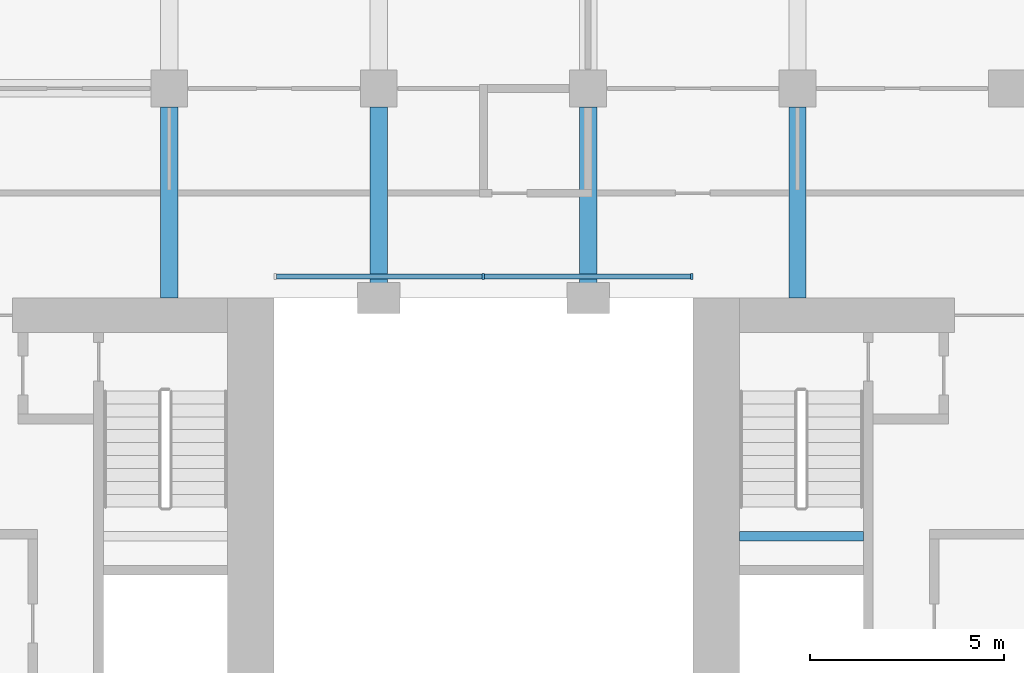
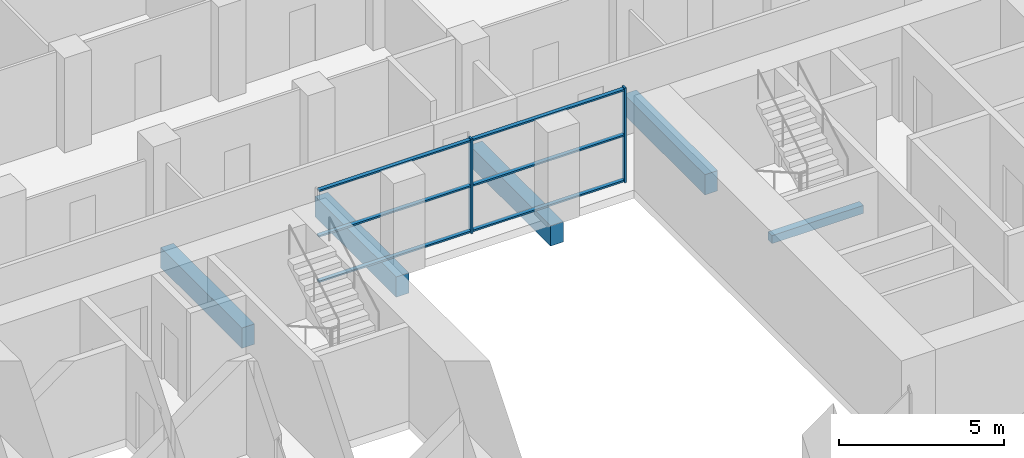
# One storey, part 4 of 13: 8 members, 5 beams, 1 element without a shape of its own.
"""IFC4 building model written with IfcOpenShell, lengths in metres."""

from ifc_helpers import new_model, si_unit, direction, frame, origin, origin_2d, place, context, subcontext, project, spatial, rectangle, extrude, material, material_profile, profile_set, type_object, element, aggregate, save


model = new_model("IFC4")

# Units and contexts
model_context = context("Model", 3, precision=1e-05, world=origin(), true_north=direction((0.0, 1.0)))
body_context = subcontext(model_context, "Body", "Model", "MODEL_VIEW")
ifc_project = project(units=[si_unit("LENGTHUNIT", "METRE"), si_unit("AREAUNIT", "SQUARE_METRE"), si_unit("VOLUMEUNIT", "CUBIC_METRE"), si_unit("PLANEANGLEUNIT", "RADIAN"), si_unit("MASSUNIT", "GRAM", prefix="KILO")], contexts=[model_context])

# Site, building, storey
site_placement = place(None, origin())
site = spatial("IfcSite", under=ifc_project, at=site_placement, CompositionType="ELEMENT")
building_placement = place(site_placement, origin())
building = spatial("IfcBuilding", under=site, at=building_placement, Name="Tabaq Tower and Sports Hall", CompositionType="ELEMENT")
storey_placement = place(building_placement, frame((0.0, 0.0, 110.60009765625)))
storey = spatial("IfcBuildingStorey", under=building, at=storey_placement, Name="L26", CompositionType="ELEMENT", Elevation=110.60009765625)

# Curtain wall, members
ifc_material_1 = material(Name="Aluminium alloy 6063-T6 framed glazing", Category="aluminium")
curtain_wall_type = type_object("IfcCurtainWallType", Name="CW1 curtain wall", PredefinedType="USERDEFINED", material=ifc_material_1)
curtain_wall_placement = place(storey_placement, origin())
curtain_wall = element("IfcCurtainWall", 1, at=curtain_wall_placement, inside=storey, type_object=curtain_wall_type, Name="Atrium glazing L26 N", ObjectType="ATRIUM ENCLOSURE", PredefinedType="USERDEFINED")
ifc_material_2 = material(Name="Aluminium alloy 6063-T6", Category="aluminium")
ifc_material_profile_1 = material_profile(ifc_material_2, rectangle(XDim=0.159912109375, YDim=0.06005859375, at=origin_2d()), Name="MULLION 160x60")
ifc_profile_set_1 = profile_set([ifc_material_profile_1], Name="Aluminium alloy 6063-T6")
member_type_1 = type_object("IfcMemberType", Name="CW1 mullion 160x60", PredefinedType="MULLION", material=ifc_profile_set_1)
member_1_placement = place(storey_placement, frame((24.300048828125, 32.949951171875, 0.0), z_axis=(0.0, 0.0, 1.0), x_axis=(0.0, 1.0, 0.0)))
member_1 = element("IfcMember", 2, at=member_1_placement, type_object=member_type_1, Name="CW1 mullion 2", PredefinedType="MULLION", context=body_context, shape_type="SweptSolid", body=[
    extrude(rectangle(XDim=0.159912109375, YDim=0.06005859375, at=origin_2d()), origin(), (0.0, 0.0, 1.0), 3.5),
])
member_2_placement = place(storey_placement, frame((29.669921875, 32.949951171875, 0.0), z_axis=(0.0, 0.0, 1.0), x_axis=(0.0, 1.0, 0.0)))
member_2 = element("IfcMember", 3, at=member_2_placement, type_object=member_type_1, Name="CW1 mullion 3", PredefinedType="MULLION", context=body_context, shape_type="SweptSolid", body=[
    extrude(rectangle(XDim=0.159912109375, YDim=0.06005859375, at=origin_2d()), origin(), (0.0, 0.0, 1.0), 3.5),
])
ifc_material_3 = material(Name="Aluminium alloy 6063-T6", Category="aluminium")
ifc_material_profile_2 = material_profile(ifc_material_3, rectangle(XDim=0.139892578125, YDim=0.06005859375, at=origin_2d()), Name="TRANSOM 140x60")
ifc_profile_set_2 = profile_set([ifc_material_profile_2], Name="Aluminium alloy 6063-T6")
member_type_2 = type_object("IfcMemberType", Name="CW1 transom 140x60", PredefinedType="USERDEFINED", material=ifc_profile_set_2)
member_3_placement = place(storey_placement, frame((18.9599609375, 32.949951171875, 0.06982421875), z_axis=(1.0, 0.0, 0.0), x_axis=(0.0, 1.0, 0.0)))
member_3 = element("IfcMember", 4, at=member_3_placement, type_object=member_type_2, Name="CW1 transom 1.1", ObjectType="TRANSOM", PredefinedType="USERDEFINED", context=body_context, shape_type="SweptSolid", body=[
    extrude(rectangle(XDim=0.139892578125, YDim=0.06005859375, at=origin_2d()), origin(), (0.0, 0.0, 1.0), 5.31005859375),
])
member_4_placement = place(storey_placement, frame((18.9599609375, 32.949951171875, 1.75), z_axis=(1.0, 0.0, 0.0), x_axis=(0.0, 1.0, 0.0)))
member_4 = element("IfcMember", 5, at=member_4_placement, type_object=member_type_2, Name="CW1 transom 1.2", ObjectType="TRANSOM", PredefinedType="USERDEFINED", context=body_context, shape_type="SweptSolid", body=[
    extrude(rectangle(XDim=0.139892578125, YDim=0.06005859375, at=origin_2d()), origin(), (0.0, 0.0, 1.0), 5.31005859375),
])
member_5_placement = place(storey_placement, frame((18.9599609375, 32.949951171875, 3.429931640625), z_axis=(1.0, 0.0, 0.0), x_axis=(0.0, 1.0, 0.0)))
member_5 = element("IfcMember", 6, at=member_5_placement, type_object=member_type_2, Name="CW1 transom 1.3", ObjectType="TRANSOM", PredefinedType="USERDEFINED", context=body_context, shape_type="SweptSolid", body=[
    extrude(rectangle(XDim=0.139892578125, YDim=0.06005859375, at=origin_2d()), origin(), (0.0, 0.0, 1.0), 5.31005859375),
])
member_6_placement = place(storey_placement, frame((24.330078125, 32.949951171875, 0.06982421875), z_axis=(1.0, 0.0, 0.0), x_axis=(0.0, 1.0, 0.0)))
member_6 = element("IfcMember", 7, at=member_6_placement, type_object=member_type_2, Name="CW1 transom 2.1", ObjectType="TRANSOM", PredefinedType="USERDEFINED", context=body_context, shape_type="SweptSolid", body=[
    extrude(rectangle(XDim=0.139892578125, YDim=0.06005859375, at=origin_2d()), origin(), (0.0, 0.0, 1.0), 5.309814453125),
])
member_7_placement = place(storey_placement, frame((24.330078125, 32.949951171875, 1.75), z_axis=(1.0, 0.0, 0.0), x_axis=(0.0, 1.0, 0.0)))
member_7 = element("IfcMember", 8, at=member_7_placement, type_object=member_type_2, Name="CW1 transom 2.2", ObjectType="TRANSOM", PredefinedType="USERDEFINED", context=body_context, shape_type="SweptSolid", body=[
    extrude(rectangle(XDim=0.139892578125, YDim=0.06005859375, at=origin_2d()), origin(), (0.0, 0.0, 1.0), 5.309814453125),
])
member_8_placement = place(storey_placement, frame((24.330078125, 32.949951171875, 3.429931640625), z_axis=(1.0, 0.0, 0.0), x_axis=(0.0, 1.0, 0.0)))
member_8 = element("IfcMember", 9, at=member_8_placement, type_object=member_type_2, Name="CW1 transom 2.3", ObjectType="TRANSOM", PredefinedType="USERDEFINED", context=body_context, shape_type="SweptSolid", body=[
    extrude(rectangle(XDim=0.139892578125, YDim=0.06005859375, at=origin_2d()), origin(), (0.0, 0.0, 1.0), 5.309814453125),
])
aggregate(curtain_wall, [member_1, member_2, member_3, member_4, member_5, member_6, member_7, member_8])

# Beams
ifc_material_4 = material(Name="Concrete C40/50", Category="concrete")
ifc_material_profile_3 = material_profile(ifc_material_4, rectangle(XDim=0.449951171875, YDim=0.75, at=origin_2d()), Name="CB 450x750")
ifc_profile_set_3 = profile_set([ifc_material_profile_3], Name="Concrete C40/50")
beam_type_1 = type_object("IfcBeamType", Name="PT CANTILEVER BEAM CB 450x750 C40/50", PredefinedType="BEAM", material=ifc_profile_set_3)
for number, where, z_axis, x_axis, name in (
    (10, (16.199951171875, 37.324951171875, -0.675048828125), (0.0, -1.0, 0.0), (1.0, 0.0, 0.0), "Cantilever Beam L26 N3 span 3"),
    (11, (21.60009765625, 37.324951171875, -0.675048828125), (0.0, -1.0, 0.0), (1.0, 0.0, 0.0), "Cantilever Beam L26 N4 span 3"),
    (12, (27.0, 37.324951171875, -0.675048828125), (0.0, -1.0, 0.0), (1.0, 0.0, 0.0), "Cantilever Beam L26 N5 span 3"),
    (13, (32.39990234375, 37.324951171875, -0.675048828125), (0.0, -1.0, 0.0), (1.0, 0.0, 0.0), "Cantilever Beam L26 N6 span 3"),
):
    element("IfcBeam", number, at=place(storey_placement, frame(where, z_axis=z_axis, x_axis=x_axis)), inside=storey, type_object=beam_type_1, Name=name, PredefinedType="BEAM", context=body_context, shape_type="SweptSolid", body=[
        extrude(rectangle(XDim=0.449951171875, YDim=0.75, at=origin_2d()), origin(), (0.0, 0.0, 1.0), 4.925048828125),
    ])
ifc_material_5 = material(Name="Concrete C40/50", Category="concrete")
ifc_material_profile_4 = material_profile(ifc_material_5, rectangle(XDim=0.25, YDim=0.300048828125, at=origin_2d()), Name="RC 250x300")
ifc_profile_set_4 = profile_set([ifc_material_profile_4], Name="Concrete C40/50")
beam_type_2 = type_object("IfcBeamType", Name="Stair landing beam 250x300", PredefinedType="BEAM", material=ifc_profile_set_4)
beam_placement = place(storey_placement, frame((30.89990234375, 26.25, 1.5498046875), z_axis=(1.0, 0.0, 0.0), x_axis=(0.0, 1.0, 0.0)))
element("IfcBeam", 14, at=beam_placement, inside=storey, type_object=beam_type_2, Name="L26 ST4 landing beam 1", PredefinedType="BEAM", context=body_context, shape_type="SweptSolid", body=[
    extrude(rectangle(XDim=0.25, YDim=0.300048828125, at=origin_2d()), origin(), (0.0, 0.0, 1.0), 3.2001953125),
])

save(model, "model.ifc")
